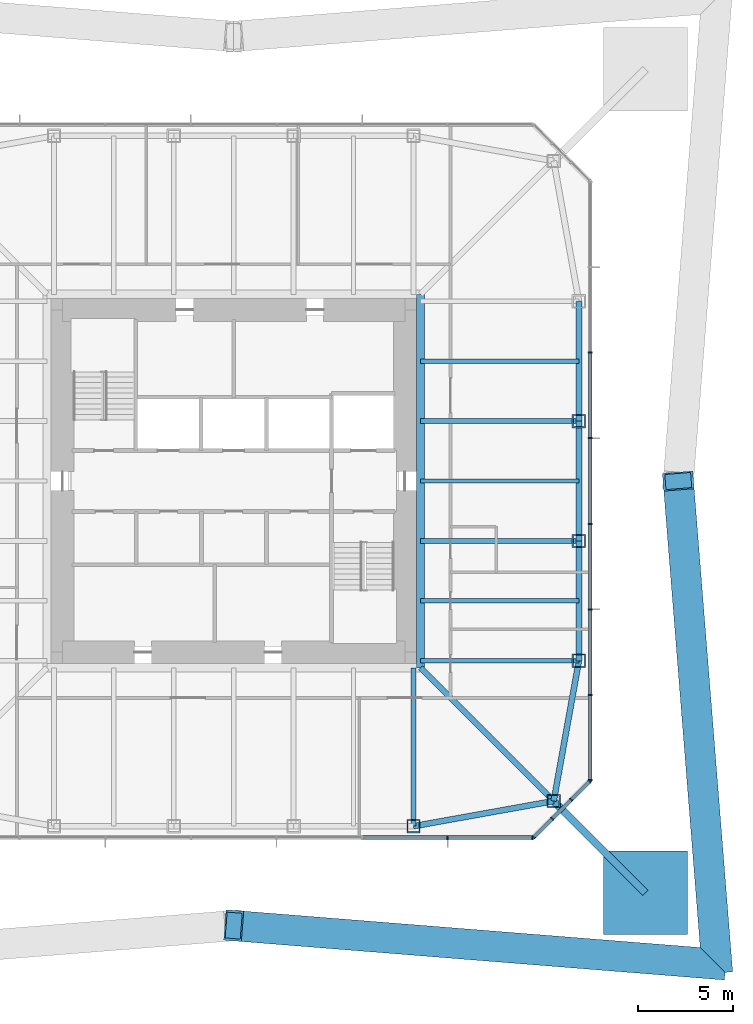
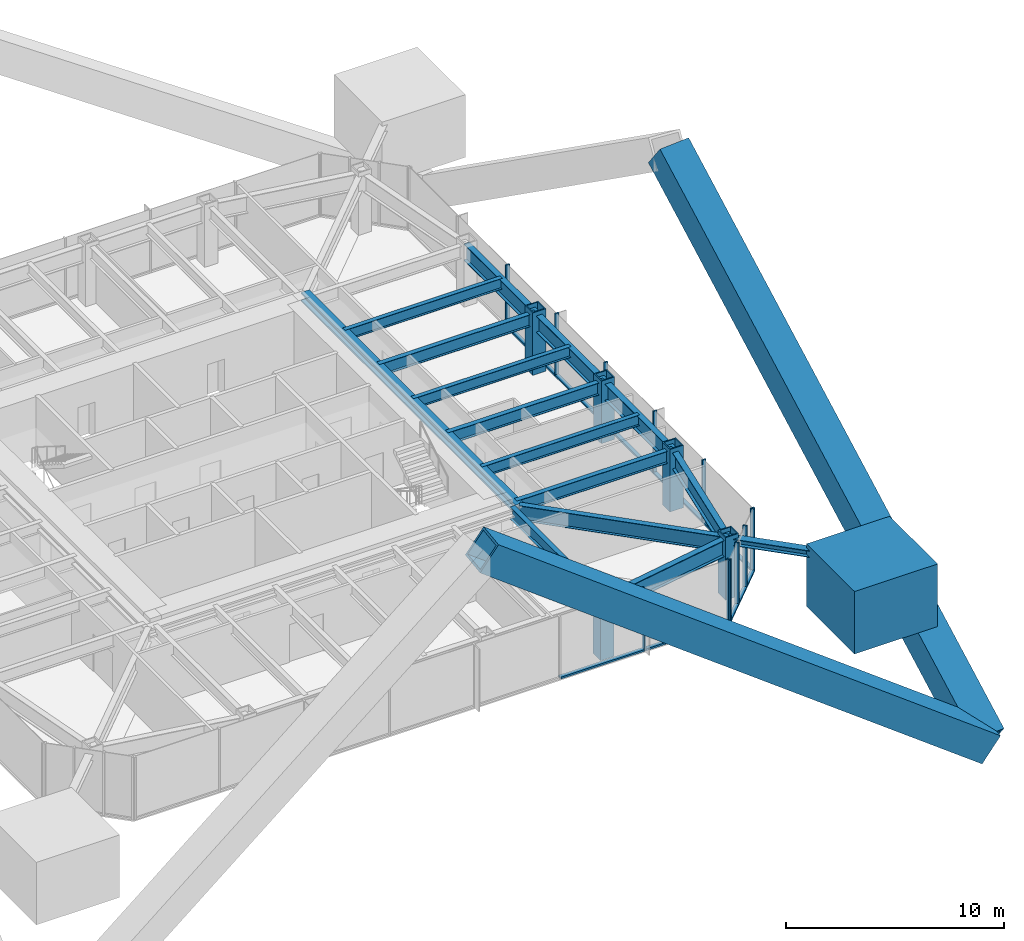
# One storey, part 3 of 11: 31 members, 14 beams, 3 elements without a shape of their own.
"""IFC4 building model written with IfcOpenShell, lengths in metres."""

from ifc_helpers import new_model, si_unit, direction, frame, origin, origin_2d, place, context, subcontext, project, spatial, rectangle, hollow_rectangle, i_section, extrude, material, material_profile, profile_set, type_object, element, aggregate, save


model = new_model("IFC4")

# Units and contexts
model_context = context("Model", 3, precision=1e-05, world=origin(), true_north=direction((0.0, 1.0)))
body_context = subcontext(model_context, "Body", "Model", "MODEL_VIEW")
ifc_project = project(units=[si_unit("LENGTHUNIT", "METRE"), si_unit("AREAUNIT", "SQUARE_METRE"), si_unit("VOLUMEUNIT", "CUBIC_METRE"), si_unit("PLANEANGLEUNIT", "RADIAN"), si_unit("MASSUNIT", "GRAM", prefix="KILO")], contexts=[model_context])

# Site, building, storey
site_placement = place(None, origin())
site = spatial("IfcSite", under=ifc_project, at=site_placement, CompositionType="ELEMENT")
building_placement = place(site_placement, origin())
building = spatial("IfcBuilding", under=site, at=building_placement, Name="Iwan Alto Co-Living Towers", CompositionType="ELEMENT")
storey_placement = place(building_placement, frame((0.0, 0.0, 149.5)))
storey = spatial("IfcBuildingStorey", under=building, at=storey_placement, Name="L40", CompositionType="ELEMENT", Elevation=149.5)

# Curtain wall, members
ifc_material_1 = material(Name="Bronze aluminium unitised frame", Category="aluminium")
curtain_wall_type_1 = type_object("IfcCurtainWallType", Name="CURTAIN WALL CW-A", PredefinedType="NOTDEFINED", material=ifc_material_1)
curtain_wall_1_placement = place(storey_placement, origin())
curtain_wall_1 = element("IfcCurtainWall", 1, at=curtain_wall_1_placement, inside=storey, type_object=curtain_wall_type_1, Name="T1 curtain wall S L40", PredefinedType="NOTDEFINED")
ifc_material_2 = material(Name="Aluminium 6063-T6 bronze anodised", Category="aluminium")
ifc_material_profile_1 = material_profile(ifc_material_2, rectangle(XDim=0.199951171875, YDim=0.080078125, at=origin_2d()), Name="AL 80X200")
ifc_profile_set_1 = profile_set([ifc_material_profile_1], Name="Aluminium 6063-T6 bronze anodised")
member_type_1 = type_object("IfcMemberType", Name="CW-A MULLION 80X200", PredefinedType="MULLION", material=ifc_profile_set_1)
member_1_placement = place(storey_placement, frame((11.25, -18.75, 0.0), z_axis=(0.0, 0.0, 1.0), x_axis=(0.0, 1.0, 0.0)))
member_1 = element("IfcMember", 2, at=member_1_placement, type_object=member_type_1, Name="CW-A mullion 7", PredefinedType="MULLION", context=body_context, shape_type="SweptSolid", body=[
    extrude(rectangle(XDim=0.199951171875, YDim=0.080078125, at=origin_2d()), origin(), (0.0, 0.0, 1.0), 3.5),
])
member_2_placement = place(storey_placement, frame((15.7099609375, -18.75, 0.0), z_axis=(0.0, 0.0, 1.0), x_axis=(0.0, 1.0, 0.0)))
member_2 = element("IfcMember", 3, at=member_2_placement, type_object=member_type_1, Name="CW-A mullion 8", PredefinedType="MULLION", context=body_context, shape_type="SweptSolid", body=[
    extrude(rectangle(XDim=0.199951171875, YDim=0.080078125, at=origin_2d()), origin(), (0.0, 0.0, 1.0), 3.5),
])

curtain_wall_2_placement = place(storey_placement, origin())
curtain_wall_2 = element("IfcCurtainWall", 4, at=curtain_wall_2_placement, inside=storey, type_object=curtain_wall_type_1, Name="T1 curtain wall E L40", PredefinedType="NOTDEFINED")
member_3_placement = place(storey_placement, frame((18.75, -15.7099609375, 0.0), z_axis=(0.0, 0.0, 1.0), x_axis=(-1.0, 0.0, 0.0)))
member_3 = element("IfcMember", 5, at=member_3_placement, type_object=member_type_1, Name="CW-A mullion 1", PredefinedType="MULLION", context=body_context, shape_type="SweptSolid", body=[
    extrude(rectangle(XDim=0.199951171875, YDim=0.080078125, at=origin_2d()), origin(), (0.0, 0.0, 1.0), 3.5),
])
member_4_placement = place(storey_placement, frame((18.75, -11.25, 0.0), z_axis=(0.0, 0.0, 1.0), x_axis=(-1.0, 0.0, 0.0)))
member_4 = element("IfcMember", 6, at=member_4_placement, type_object=member_type_1, Name="CW-A mullion 2", PredefinedType="MULLION", context=body_context, shape_type="SweptSolid", body=[
    extrude(rectangle(XDim=0.199951171875, YDim=0.080078125, at=origin_2d()), origin(), (0.0, 0.0, 1.0), 3.5),
])
member_5_placement = place(storey_placement, frame((18.75, -6.75, 0.0), z_axis=(0.0, 0.0, 1.0), x_axis=(-1.0, 0.0, 0.0)))
member_5 = element("IfcMember", 7, at=member_5_placement, type_object=member_type_1, Name="CW-A mullion 3", PredefinedType="MULLION", context=body_context, shape_type="SweptSolid", body=[
    extrude(rectangle(XDim=0.199951171875, YDim=0.080078125, at=origin_2d()), origin(), (0.0, 0.0, 1.0), 3.5),
])
member_6_placement = place(storey_placement, frame((18.75, -2.25, 0.0), z_axis=(0.0, 0.0, 1.0), x_axis=(-1.0, 0.0, 0.0)))
member_6 = element("IfcMember", 8, at=member_6_placement, type_object=member_type_1, Name="CW-A mullion 4", PredefinedType="MULLION", context=body_context, shape_type="SweptSolid", body=[
    extrude(rectangle(XDim=0.199951171875, YDim=0.080078125, at=origin_2d()), origin(), (0.0, 0.0, 1.0), 3.5),
])
member_7_placement = place(storey_placement, frame((18.75, 2.25, 0.0), z_axis=(0.0, 0.0, 1.0), x_axis=(-1.0, 0.0, 0.0)))
member_7 = element("IfcMember", 9, at=member_7_placement, type_object=member_type_1, Name="CW-A mullion 5", PredefinedType="MULLION", context=body_context, shape_type="SweptSolid", body=[
    extrude(rectangle(XDim=0.199951171875, YDim=0.080078125, at=origin_2d()), origin(), (0.0, 0.0, 1.0), 3.5),
])
member_8_placement = place(storey_placement, frame((18.75, 6.75, 0.0), z_axis=(0.0, 0.0, 1.0), x_axis=(-1.0, 0.0, 0.0)))
member_8 = element("IfcMember", 10, at=member_8_placement, type_object=member_type_1, Name="CW-A mullion 6", PredefinedType="MULLION", context=body_context, shape_type="SweptSolid", body=[
    extrude(rectangle(XDim=0.199951171875, YDim=0.080078125, at=origin_2d()), origin(), (0.0, 0.0, 1.0), 3.5),
])

# Member
ifc_material_3 = material(Name="Aluminium 6063-T6 bronze anodised", Category="aluminium")
ifc_material_profile_2 = material_profile(ifc_material_3, rectangle(XDim=0.199951171875, YDim=0.10009765625, at=origin_2d()), Name="AL 200X100")
ifc_profile_set_2 = profile_set([ifc_material_profile_2], Name="Aluminium 6063-T6 bronze anodised")
member_type_2 = type_object("IfcMemberType", Name="CW-A TRANSOM 200X100", PredefinedType="USERDEFINED", material=ifc_profile_set_2)
member_9_placement = place(storey_placement, frame((6.7900390625, -18.75, 0.050048828125), z_axis=(1.0, 0.0, 0.0), x_axis=(0.0, 1.0, 0.0)))
member_9 = element("IfcMember", 11, at=member_9_placement, type_object=member_type_2, Name="CW-A transom 6.1", ObjectType="TRANSOM", PredefinedType="USERDEFINED", context=body_context, shape_type="SweptSolid", body=[
    extrude(rectangle(XDim=0.199951171875, YDim=0.10009765625, at=origin_2d()), origin(), (0.0, 0.0, 1.0), 4.419921875),
])

member_10_placement = place(storey_placement, frame((11.2900390625, -18.75, 0.050048828125), z_axis=(1.0, 0.0, 0.0), x_axis=(0.0, 1.0, 0.0)))
member_10 = element("IfcMember", 12, at=member_10_placement, type_object=member_type_2, Name="CW-A transom 7.1", ObjectType="TRANSOM", PredefinedType="USERDEFINED", context=body_context, shape_type="SweptSolid", body=[
    extrude(rectangle(XDim=0.199951171875, YDim=0.10009765625, at=origin_2d()), origin(), (0.0, 0.0, 1.0), 4.3798828125),
])

aggregate(curtain_wall_1, [member_1, member_2, member_9, member_10])

member_11_placement = place(storey_placement, frame((18.75, -15.669921875, 0.050048828125), z_axis=(0.0, 1.0, 0.0), x_axis=(-1.0, 0.0, 0.0)))
member_11 = element("IfcMember", 13, at=member_11_placement, type_object=member_type_2, Name="CW-A transom 1.1", ObjectType="TRANSOM", PredefinedType="USERDEFINED", context=body_context, shape_type="SweptSolid", body=[
    extrude(rectangle(XDim=0.199951171875, YDim=0.10009765625, at=origin_2d()), origin(), (0.0, 0.0, 1.0), 4.3798828125),
])

member_12_placement = place(storey_placement, frame((18.75, -11.2099609375, 0.050048828125), z_axis=(0.0, 1.0, 0.0), x_axis=(-1.0, 0.0, 0.0)))
member_12 = element("IfcMember", 14, at=member_12_placement, type_object=member_type_2, Name="CW-A transom 2.1", ObjectType="TRANSOM", PredefinedType="USERDEFINED", context=body_context, shape_type="SweptSolid", body=[
    extrude(rectangle(XDim=0.199951171875, YDim=0.10009765625, at=origin_2d()), origin(), (0.0, 0.0, 1.0), 4.419921875),
])

member_13_placement = place(storey_placement, frame((18.75, -6.7099609375, 0.050048828125), z_axis=(0.0, 1.0, 0.0), x_axis=(-1.0, 0.0, 0.0)))
member_13 = element("IfcMember", 15, at=member_13_placement, type_object=member_type_2, Name="CW-A transom 3.1", ObjectType="TRANSOM", PredefinedType="USERDEFINED", context=body_context, shape_type="SweptSolid", body=[
    extrude(rectangle(XDim=0.199951171875, YDim=0.10009765625, at=origin_2d()), origin(), (0.0, 0.0, 1.0), 4.419921875),
])

member_14_placement = place(storey_placement, frame((18.75, -2.2099609375, 0.050048828125), z_axis=(0.0, 1.0, 0.0), x_axis=(-1.0, 0.0, 0.0)))
member_14 = element("IfcMember", 16, at=member_14_placement, type_object=member_type_2, Name="CW-A transom 4.1", ObjectType="TRANSOM", PredefinedType="USERDEFINED", context=body_context, shape_type="SweptSolid", body=[
    extrude(rectangle(XDim=0.199951171875, YDim=0.10009765625, at=origin_2d()), origin(), (0.0, 0.0, 1.0), 4.419921875),
])

member_15_placement = place(storey_placement, frame((18.75, 2.2900390625, 0.050048828125), z_axis=(0.0, 1.0, 0.0), x_axis=(-1.0, 0.0, 0.0)))
member_15 = element("IfcMember", 17, at=member_15_placement, type_object=member_type_2, Name="CW-A transom 5.1", ObjectType="TRANSOM", PredefinedType="USERDEFINED", context=body_context, shape_type="SweptSolid", body=[
    extrude(rectangle(XDim=0.199951171875, YDim=0.10009765625, at=origin_2d()), origin(), (0.0, 0.0, 1.0), 4.419921875),
])

aggregate(curtain_wall_2, [member_3, member_4, member_5, member_6, member_7, member_8, member_11, member_12, member_13, member_14, member_15])

# Curtain wall, members
ifc_material_4 = material(Name="Bronze aluminium unitised frame", Category="aluminium")
curtain_wall_type_2 = type_object("IfcCurtainWallType", Name="CURTAIN WALL CW-B", PredefinedType="NOTDEFINED", material=ifc_material_4)
curtain_wall_3_placement = place(storey_placement, origin())
curtain_wall_3 = element("IfcCurtainWall", 18, at=curtain_wall_3_placement, inside=storey, type_object=curtain_wall_type_2, Name="T1 chamfer curtain wall SE L40", PredefinedType="NOTDEFINED")
ifc_material_5 = material(Name="Aluminium 6063-T6 bronze anodised", Category="aluminium")
ifc_material_profile_3 = material_profile(ifc_material_5, rectangle(XDim=0.199951171875, YDim=0.080078125, at=origin_2d()), Name="AL 80X200")
ifc_profile_set_3 = profile_set([ifc_material_profile_3], Name="Aluminium 6063-T6 bronze anodised")
member_type_3 = type_object("IfcMemberType", Name="CW-B MULLION 80X200", PredefinedType="MULLION", material=ifc_profile_set_3)
member_16_placement = place(storey_placement, frame((15.7783203125, -18.7216796875, 0.0), z_axis=(0.0, 0.0, 1.0), x_axis=(-0.707106781187, 0.707106781187, 0.0)))
member_16 = element("IfcMember", 19, at=member_16_placement, type_object=member_type_3, Name="CW-B mullion 1", PredefinedType="MULLION", context=body_context, shape_type="SweptSolid", body=[
    extrude(rectangle(XDim=0.199951171875, YDim=0.080078125, at=origin_2d()), origin(), (0.0, 0.0, 1.0), 3.5),
])
member_17_placement = place(storey_placement, frame((16.75, -17.75, 0.0), z_axis=(0.0, 0.0, 1.0), x_axis=(-0.707106781187, 0.707106781187, 0.0)))
member_17 = element("IfcMember", 20, at=member_17_placement, type_object=member_type_3, Name="CW-B mullion 2", PredefinedType="MULLION", context=body_context, shape_type="SweptSolid", body=[
    extrude(rectangle(XDim=0.199951171875, YDim=0.080078125, at=origin_2d()), origin(), (0.0, 0.0, 1.0), 3.5),
])
member_18_placement = place(storey_placement, frame((17.75, -16.75, 0.0), z_axis=(0.0, 0.0, 1.0), x_axis=(-0.707106781187, 0.707106781187, 0.0)))
member_18 = element("IfcMember", 21, at=member_18_placement, type_object=member_type_3, Name="CW-B mullion 3", PredefinedType="MULLION", context=body_context, shape_type="SweptSolid", body=[
    extrude(rectangle(XDim=0.199951171875, YDim=0.080078125, at=origin_2d()), origin(), (0.0, 0.0, 1.0), 3.5),
])
member_19_placement = place(storey_placement, frame((18.7216796875, -15.7783203125, 0.0), z_axis=(0.0, 0.0, 1.0), x_axis=(-0.707106781187, 0.707106781187, 0.0)))
member_19 = element("IfcMember", 22, at=member_19_placement, type_object=member_type_3, Name="CW-B mullion 4", PredefinedType="MULLION", context=body_context, shape_type="SweptSolid", body=[
    extrude(rectangle(XDim=0.199951171875, YDim=0.080078125, at=origin_2d()), origin(), (0.0, 0.0, 1.0), 3.5),
])
ifc_material_6 = material(Name="Aluminium 6063-T6 bronze anodised", Category="aluminium")
ifc_material_profile_4 = material_profile(ifc_material_6, rectangle(XDim=0.199951171875, YDim=0.10009765625, at=origin_2d()), Name="AL 200X100")
ifc_profile_set_4 = profile_set([ifc_material_profile_4], Name="Aluminium 6063-T6 bronze anodised")
member_type_4 = type_object("IfcMemberType", Name="CW-B TRANSOM 200X100", PredefinedType="USERDEFINED", material=ifc_profile_set_4)
member_20_placement = place(storey_placement, frame((15.806640625, -18.693359375, 0.050048828125), z_axis=(0.707106781187, 0.707106781187, 0.0), x_axis=(-0.707106781187, 0.707106781187, 0.0)))
member_20 = element("IfcMember", 23, at=member_20_placement, type_object=member_type_4, Name="CW-B transom 1.1", ObjectType="TRANSOM", PredefinedType="USERDEFINED", context=body_context, shape_type="SweptSolid", body=[
    extrude(rectangle(XDim=0.199951171875, YDim=0.10009765625, at=origin_2d()), origin(), (0.0, 0.0, 1.0), 1.2939453125),
])
member_21_placement = place(storey_placement, frame((16.7783203125, -17.7216796875, 0.050048828125), z_axis=(0.707106781187, 0.707106781187, 0.0), x_axis=(-0.707106781187, 0.707106781187, 0.0)))
member_21 = element("IfcMember", 24, at=member_21_placement, type_object=member_type_4, Name="CW-B transom 2.1", ObjectType="TRANSOM", PredefinedType="USERDEFINED", context=body_context, shape_type="SweptSolid", body=[
    extrude(rectangle(XDim=0.199951171875, YDim=0.10009765625, at=origin_2d()), origin(), (0.0, 0.0, 1.0), 1.334228515625),
])
member_22_placement = place(storey_placement, frame((17.7783203125, -16.7216796875, 0.050048828125), z_axis=(0.707106781187, 0.707106781187, 0.0), x_axis=(-0.707106781187, 0.707106781187, 0.0)))
member_22 = element("IfcMember", 25, at=member_22_placement, type_object=member_type_4, Name="CW-B transom 3.1", ObjectType="TRANSOM", PredefinedType="USERDEFINED", context=body_context, shape_type="SweptSolid", body=[
    extrude(rectangle(XDim=0.199951171875, YDim=0.10009765625, at=origin_2d()), origin(), (0.0, 0.0, 1.0), 1.2939453125),
])
aggregate(curtain_wall_3, [member_16, member_17, member_18, member_19, member_20, member_21, member_22])

# Beams
ifc_material_7 = material(Name="Steel ASTM A992 Gr 50", Category="steel")
ifc_material_profile_5 = material_profile(ifc_material_7, i_section(OverallWidth=0.436767578125, OverallDepth=0.51318359375, WebThickness=0.060546875, FlangeThickness=0.096923828125, at=origin_2d()), Name="W14X550")
ifc_profile_set_5 = profile_set([ifc_material_profile_5], Name="Steel ASTM A992 Gr 50")
beam_type_1 = type_object("IfcBeamType", Name="T1 CORE LEDGER BEAM W14X550", PredefinedType="BEAM", material=ifc_profile_set_5)
beam_1_placement = place(storey_placement, frame((9.818359375, -9.818359375, 3.013427734375), z_axis=(0.0, 1.0, 0.0), x_axis=(-1.0, 0.0, 0.0)))
element("IfcBeam", 26, at=beam_1_placement, inside=storey, type_object=beam_type_1, Name="T1 core ledger beam E L41", PredefinedType="BEAM", context=body_context, shape_type="SweptSolid", body=[
    extrude(i_section(OverallWidth=0.436767578125, OverallDepth=0.51318359375, WebThickness=0.060546875, FlangeThickness=0.096923828125, at=origin_2d()), origin(), (0.0, 0.0, 1.0), 19.63671875),
])
ifc_material_8 = material(Name="Steel ASTM A992 Gr 50", Category="steel")
ifc_material_profile_6 = material_profile(ifc_material_8, i_section(OverallWidth=0.2919921875, OverallDepth=0.8408203125, WebThickness=0.0146484375, FlangeThickness=0.021728515625, at=origin_2d()), Name="W33X130")
ifc_profile_set_6 = profile_set([ifc_material_profile_6], Name="Steel ASTM A992 Gr 50")
beam_type_2 = type_object("IfcBeamType", Name="T1 CORNER GIRDER W33X130", PredefinedType="BEAM", material=ifc_profile_set_6)
beam_2_placement = place(storey_placement, frame((16.82568359375, -16.82568359375, 2.849609375), z_axis=(-0.707106781187, 0.707106781187, 0.0), x_axis=(-0.707106781187, -0.707106781187, 0.0)))
element("IfcBeam", 27, at=beam_2_placement, inside=storey, type_object=beam_type_2, Name="T1 corner girder CSE L41", PredefinedType="BEAM", context=body_context, shape_type="SweptSolid", body=[
    extrude(i_section(OverallWidth=0.2919921875, OverallDepth=0.8408203125, WebThickness=0.0146484375, FlangeThickness=0.021728515625, at=origin_2d()), origin(), (0.0, 0.0, 1.0), 9.909912109375),
])
ifc_material_9 = material(Name="Steel ASTM A992 Gr 50", Category="steel")
ifc_material_profile_7 = material_profile(ifc_material_9, i_section(OverallWidth=0.307373046875, OverallDepth=0.927001953125, WebThickness=0.01953125, FlangeThickness=0.031982421875, at=origin_2d()), Name="W36X194")
ifc_profile_set_7 = profile_set([ifc_material_profile_7], Name="Steel ASTM A992 Gr 50")
beam_type_3 = type_object("IfcBeamType", Name="T1 EDGE BEAM W36X194", PredefinedType="BEAM", material=ifc_profile_set_7)
for number, where, z_axis, x_axis, name in (
    (28, (9.449951171875, -18.14990234375, 2.806396484375), (0.98426263553, 0.17671181143, 0.0), (-0.17671181143, 0.98426263553, 0.0), "T1 edge beam S4 L41"),
    (29, (16.82568359375, -16.82568359375, 2.806396484375), (0.17671181143, 0.98426263553, 0.0), (-0.98426263553, 0.17671181143, 0.0), "T1 edge beam CSE L41"),
):
    element("IfcBeam", number, at=place(storey_placement, frame(where, z_axis=z_axis, x_axis=x_axis)), inside=storey, type_object=beam_type_3, Name=name, PredefinedType="BEAM", context=body_context, shape_type="SweptSolid", body=[
        extrude(i_section(OverallWidth=0.307373046875, OverallDepth=0.927001953125, WebThickness=0.01953125, FlangeThickness=0.031982421875, at=origin_2d()), origin(), (0.0, 0.0, 1.0), 7.49365234375),
    ])
beam_3_placement = place(storey_placement, frame((18.14990234375, -9.449951171875, 2.806396484375), z_axis=(0.0, 1.0, 0.0), x_axis=(-1.0, 0.0, 0.0)))
element("IfcBeam", 30, at=beam_3_placement, inside=storey, type_object=beam_type_3, Name="T1 edge beam E1 L41", PredefinedType="BEAM", context=body_context, shape_type="SweptSolid", body=[
    extrude(i_section(OverallWidth=0.307373046875, OverallDepth=0.927001953125, WebThickness=0.01953125, FlangeThickness=0.031982421875, at=origin_2d()), origin(), (0.0, 0.0, 1.0), 6.300048828125),
])
beam_4_placement = place(storey_placement, frame((18.14990234375, -3.14990234375, 2.806396484375), z_axis=(0.0, 1.0, 0.0), x_axis=(-1.0, 0.0, 0.0)))
element("IfcBeam", 31, at=beam_4_placement, inside=storey, type_object=beam_type_3, Name="T1 edge beam E2 L41", PredefinedType="BEAM", context=body_context, shape_type="SweptSolid", body=[
    extrude(i_section(OverallWidth=0.307373046875, OverallDepth=0.927001953125, WebThickness=0.01953125, FlangeThickness=0.031982421875, at=origin_2d()), origin(), (0.0, 0.0, 1.0), 6.2998046875),
])
beam_5_placement = place(storey_placement, frame((18.14990234375, 3.14990234375, 2.806396484375), z_axis=(0.0, 1.0, 0.0), x_axis=(-1.0, 0.0, 0.0)))
element("IfcBeam", 32, at=beam_5_placement, inside=storey, type_object=beam_type_3, Name="T1 edge beam E3 L41", PredefinedType="BEAM", context=body_context, shape_type="SweptSolid", body=[
    extrude(i_section(OverallWidth=0.307373046875, OverallDepth=0.927001953125, WebThickness=0.01953125, FlangeThickness=0.031982421875, at=origin_2d()), origin(), (0.0, 0.0, 1.0), 6.300048828125),
])

# Members
ifc_material_10 = material(Name="Steel ASTM A572 Gr 42", Category="steel")
ifc_material_profile_8 = material_profile(ifc_material_10, hollow_rectangle(XDim=1.60009765625, YDim=1.60009765625, WallThickness=0.1201171875, at=origin_2d()), Name="BOX 1600X1600X120")
ifc_profile_set_8 = profile_set([ifc_material_profile_8], Name="Steel ASTM A572 Gr 42")
member_type_5 = type_object("IfcMemberType", Name="T1 MEGA BRACE BOX 1600X1600X120", PredefinedType="BRACE", material=ifc_profile_set_8)
for number, where, z_axis, x_axis, name in (
    (33, (25.39990234375, -25.39990234375, -6.0), (-0.808832630948, 0.064465293218, 0.584494654453), (-0.079449700698, -0.996838876178, 0.0), "T1 mega brace Z3A S 2 lower"),
    (34, (25.39990234375, -25.39990234375, -6.0), (-0.064465293218, 0.808832630948, 0.584494654453), (-0.996838876178, -0.079449700698, 0.0), "T1 mega brace Z3A E 1 lower"),
):
    element("IfcMember", number, at=place(storey_placement, frame(where, z_axis=z_axis, x_axis=x_axis)), inside=storey, type_object=member_type_5, Name=name, PredefinedType="BRACE", context=body_context, shape_type="SweptSolid", body=[
        extrude(hollow_rectangle(XDim=1.60009765625, YDim=1.60009765625, WallThickness=0.1201171875, at=origin_2d()), origin(), (0.0, 0.0, 1.0), 31.403076171875),
    ])
ifc_material_11 = material(Name="Steel ASTM A992 Gr 50", Category="steel")
ifc_material_profile_9 = material_profile(ifc_material_11, i_section(OverallWidth=0.393798828125, OverallDepth=0.3759765625, WebThickness=0.017333984375, FlangeThickness=0.027587890625, at=origin_2d()), Name="W14X145")
ifc_profile_set_9 = profile_set([ifc_material_profile_9], Name="Steel ASTM A992 Gr 50")
member_type_6 = type_object("IfcMemberType", Name="T1 MEGA COLUMN FLOOR TIE W14X145", PredefinedType="STRUT", material=ifc_profile_set_9)
member_23_placement = place(storey_placement, frame((21.64990234375, -21.64990234375, 3.08203125), z_axis=(-0.707106781187, 0.707106781187, 0.0), x_axis=(-0.707106781187, -0.707106781187, 0.0)))
element("IfcMember", 35, at=member_23_placement, inside=storey, type_object=member_type_6, Name="T1 mega column floor tie SE L41", PredefinedType="STRUT", context=body_context, shape_type="SweptSolid", body=[
    extrude(i_section(OverallWidth=0.393798828125, OverallDepth=0.3759765625, WebThickness=0.017333984375, FlangeThickness=0.027587890625, at=origin_2d()), origin(), (0.0, 0.0, 1.0), 6.822509765625),
])
ifc_material_12 = material(Name="Concrete f'c 70 MPa", Category="concrete")
ifc_material_profile_10 = material_profile(ifc_material_12, rectangle(XDim=4.39990234375, YDim=4.39990234375, at=origin_2d()), Name="RC 4400X4400")
ifc_profile_set_10 = profile_set([ifc_material_profile_10], Name="Concrete f'c 70 MPa")
member_type_7 = type_object("IfcMemberType", Name="T1 MEGA POST AT STEP RC 4400X4400", PredefinedType="MEMBER", material=ifc_profile_set_10)
member_24_placement = place(storey_placement, frame((21.64990234375, -21.64990234375, 0.0), z_axis=(0.0, 0.0, 1.0), x_axis=(1.0, 0.0, 0.0)))
element("IfcMember", 36, at=member_24_placement, inside=storey, type_object=member_type_7, Name="T1 mega post at step SE L40", PredefinedType="MEMBER", context=body_context, shape_type="SweptSolid", body=[
    extrude(rectangle(XDim=4.39990234375, YDim=4.39990234375, at=origin_2d()), origin(), (0.0, 0.0, 1.0), 3.5),
    extrude(i_section(OverallWidth=0.4775390625, OverallDepth=0.599365234375, WebThickness=0.10009765625, FlangeThickness=0.139892578125, at=origin_2d()), origin(), (0.0, 0.0, 1.0), 3.5),
])

# Beams
ifc_material_13 = material(Name="Steel ASTM A992 Gr 50", Category="steel")
ifc_material_profile_11 = material_profile(ifc_material_13, i_section(OverallWidth=0.25390625, OverallDepth=0.683349609375, WebThickness=0.012451171875, FlangeThickness=0.018798828125, at=origin_2d()), Name="W27X94")
ifc_profile_set_11 = profile_set([ifc_material_profile_11], Name="Steel ASTM A992 Gr 50")
beam_type_4 = type_object("IfcBeamType", Name="T1 RADIAL BEAM W27X94", PredefinedType="BEAM", material=ifc_profile_set_11)
for number, where, z_axis, x_axis, name in (
    (37, (9.449951171875, -18.14990234375, 2.928466796875), (0.0, 1.0, 0.0), (-1.0, 0.0, 0.0), "T1 radial beam S4 L41"),
    (38, (18.14990234375, -9.449951171875, 2.928466796875), (-1.0, 0.0, 0.0), (0.0, -1.0, 0.0), "T1 radial beam E1 L41"),
    (39, (18.14990234375, -3.14990234375, 2.928466796875), (-1.0, 0.0, 0.0), (0.0, -1.0, 0.0), "T1 radial beam E2 L41"),
    (40, (18.14990234375, 3.14990234375, 2.928466796875), (-1.0, 0.0, 0.0), (0.0, -1.0, 0.0), "T1 radial beam E3 L41"),
):
    element("IfcBeam", number, at=place(storey_placement, frame(where, z_axis=z_axis, x_axis=x_axis)), inside=storey, type_object=beam_type_4, Name=name, PredefinedType="BEAM", context=body_context, shape_type="SweptSolid", body=[
        extrude(i_section(OverallWidth=0.25390625, OverallDepth=0.683349609375, WebThickness=0.012451171875, FlangeThickness=0.018798828125, at=origin_2d()), origin(), (0.0, 0.0, 1.0), 8.33154296875),
    ])

# Members
ifc_material_14 = material(Name="Steel ASTM A572 Gr 50", Category="steel")
ifc_material_profile_12 = material_profile(ifc_material_14, hollow_rectangle(XDim=0.699951171875, YDim=0.699951171875, WallThickness=0.06005859375, at=origin_2d()), Name="BOX 700X700X60")
ifc_profile_set_12 = profile_set([ifc_material_profile_12], Name="Steel ASTM A572 Gr 50")
member_type_8 = type_object("IfcMemberType", Name="T1 RING POST AT STEP BOX 700X700X60", PredefinedType="MEMBER", material=ifc_profile_set_12)
for number, where, z_axis, x_axis, name in (
    (41, (9.449951171875, -18.14990234375, 0.0), (0.0, 0.0, 1.0), (1.0, 0.0, 0.0), "T1 ring post at step S4 L40"),
    (42, (16.82568359375, -16.82568359375, 0.0), (0.0, 0.0, 1.0), (1.0, 0.0, 0.0), "T1 ring post at step CSE L40"),
    (43, (18.14990234375, -9.449951171875, 0.0), (0.0, 0.0, 1.0), (1.0, 0.0, 0.0), "T1 ring post at step E1 L40"),
    (44, (18.14990234375, -3.14990234375, 0.0), (0.0, 0.0, 1.0), (1.0, 0.0, 0.0), "T1 ring post at step E2 L40"),
    (45, (18.14990234375, 3.14990234375, 0.0), (0.0, 0.0, 1.0), (1.0, 0.0, 0.0), "T1 ring post at step E3 L40"),
):
    element("IfcMember", number, at=place(storey_placement, frame(where, z_axis=z_axis, x_axis=x_axis)), inside=storey, type_object=member_type_8, Name=name, PredefinedType="MEMBER", context=body_context, shape_type="SweptSolid", body=[
        extrude(hollow_rectangle(XDim=0.699951171875, YDim=0.699951171875, WallThickness=0.06005859375, at=origin_2d()), origin(), (0.0, 0.0, 1.0), 3.5),
    ])

# Beams
ifc_material_15 = material(Name="Steel ASTM A992 Gr 50", Category="steel")
ifc_material_profile_13 = material_profile(ifc_material_15, i_section(OverallWidth=0.228271484375, OverallDepth=0.607177734375, WebThickness=0.01123046875, FlangeThickness=0.017333984375, at=origin_2d()), Name="W24X76")
ifc_profile_set_13 = profile_set([ifc_material_profile_13], Name="Steel ASTM A992 Gr 50")
beam_type_5 = type_object("IfcBeamType", Name="T1 SECONDARY BEAM W24X76", PredefinedType="JOIST", material=ifc_profile_set_13)
for number, where, z_axis, x_axis, name in (
    (46, (18.14990234375, -6.300048828125, 2.966552734375), (-1.0, 0.0, 0.0), (0.0, -1.0, 0.0), "T1 secondary beam E1 L41"),
    (47, (18.14990234375, 0.0, 2.966552734375), (-1.0, 0.0, 0.0), (0.0, -1.0, 0.0), "T1 secondary beam E2 L41"),
    (48, (18.14990234375, 6.300048828125, 2.966552734375), (-1.0, 0.0, 0.0), (0.0, -1.0, 0.0), "T1 secondary beam E3 L41"),
):
    element("IfcBeam", number, at=place(storey_placement, frame(where, z_axis=z_axis, x_axis=x_axis)), inside=storey, type_object=beam_type_5, Name=name, PredefinedType="JOIST", context=body_context, shape_type="SweptSolid", body=[
        extrude(i_section(OverallWidth=0.228271484375, OverallDepth=0.607177734375, WebThickness=0.01123046875, FlangeThickness=0.017333984375, at=origin_2d()), origin(), (0.0, 0.0, 1.0), 8.33154296875),
    ])

save(model, "model.ifc")
